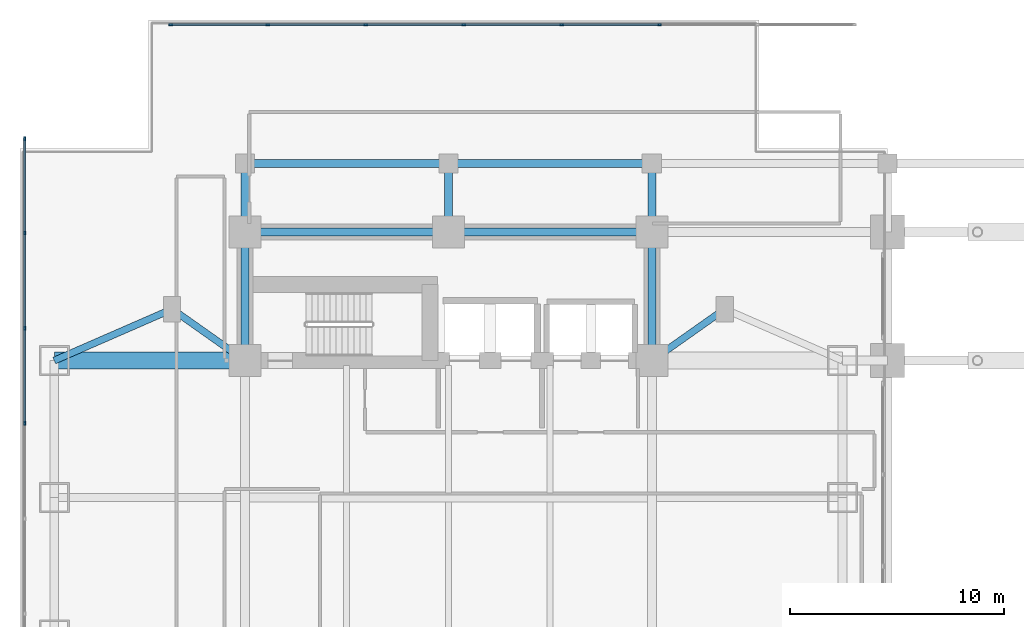
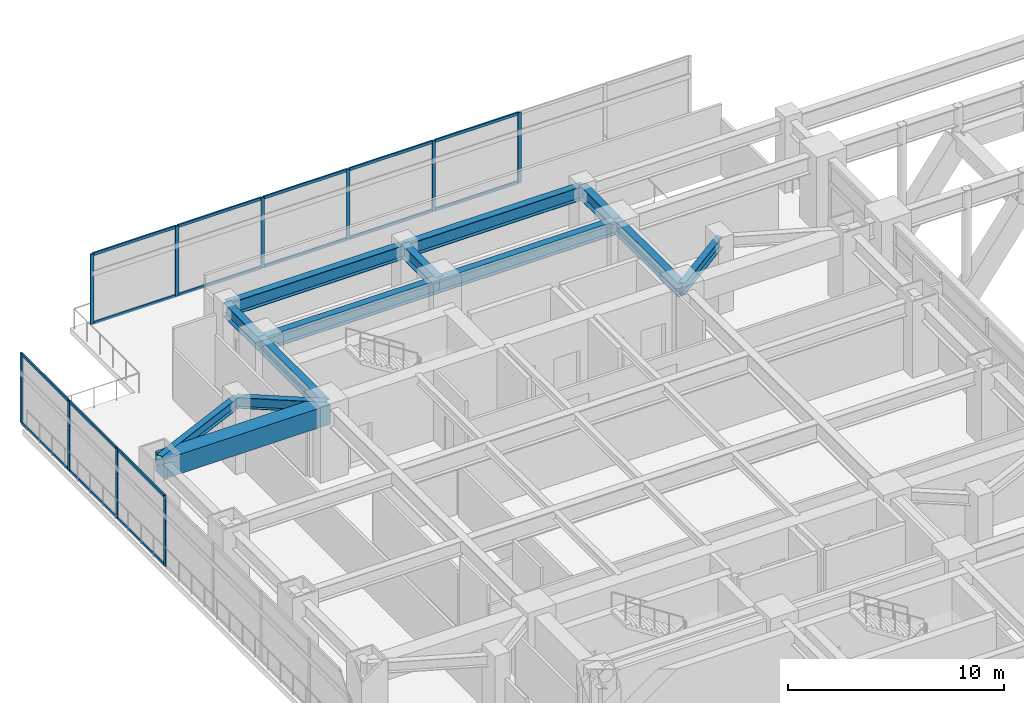
# One storey, part 6 of 30: 26 members, 13 beams, 2 elements without a shape of their own.
"""IFC4 building model written with IfcOpenShell, lengths in metres."""

from ifc_helpers import new_model, si_unit, direction, frame, origin, origin_2d, place, context, subcontext, project, spatial, rectangle, i_section, extrude, material, material_profile, profile_set, type_object, element, aggregate, save


model = new_model("IFC4")

# Units and contexts
model_context = context("Model", 3, precision=1e-05, world=origin(), true_north=direction((0.0, 1.0)))
body_context = subcontext(model_context, "Body", "Model", "MODEL_VIEW")
ifc_project = project(units=[si_unit("LENGTHUNIT", "METRE"), si_unit("AREAUNIT", "SQUARE_METRE"), si_unit("VOLUMEUNIT", "CUBIC_METRE"), si_unit("PLANEANGLEUNIT", "RADIAN"), si_unit("MASSUNIT", "GRAM", prefix="KILO")], contexts=[model_context])

# Site, building, storey
site_placement = place(None, origin())
site = spatial("IfcSite", under=ifc_project, at=site_placement, CompositionType="ELEMENT")
building_placement = place(site_placement, origin())
building = spatial("IfcBuilding", under=site, at=building_placement, Name="Mirazonda Arch Towers", CompositionType="ELEMENT")
storey_placement = place(building_placement, frame((0.0, 0.0, 9.5)))
storey = spatial("IfcBuildingStorey", under=building, at=storey_placement, Name="L02", CompositionType="ELEMENT", Elevation=9.5)

# Beams
ifc_material_1 = material(Name="Steel ASTM A992 Grade 50", Category="steel")
ifc_material_profile_1 = material_profile(ifc_material_1, i_section(OverallWidth=0.381103515625, OverallDepth=0.77294921875, WebThickness=0.0166015625, FlangeThickness=0.027099609375, at=origin_2d()), Name="W30X173")
ifc_profile_set_1 = profile_set([ifc_material_profile_1], Name="Steel ASTM A992 Grade 50")
beam_type_1 = type_object("IfcBeamType", Name="BM-EXT-W30X173", PredefinedType="USERDEFINED", material=ifc_profile_set_1)
for number, where, z_axis, x_axis, name in (
    (1, (11.0, 46.800048828125, 3.593505859375), (1.0, 0.0, 0.0), (0.0, 1.0, 0.0), "L02 Floor Beam BM-POD-L02-PN-1"),
    (2, (20.5, 46.800048828125, 3.593505859375), (1.0, 0.0, 0.0), (0.0, 1.0, 0.0), "L02 Floor Beam BM-POD-L02-PN-2"),
):
    element("IfcBeam", number, at=place(storey_placement, frame(where, z_axis=z_axis, x_axis=x_axis)), inside=storey, type_object=beam_type_1, Name=name, ObjectType="GIRDER", PredefinedType="USERDEFINED", context=body_context, shape_type="SweptSolid", body=[
        extrude(i_section(OverallWidth=0.381103515625, OverallDepth=0.77294921875, WebThickness=0.0166015625, FlangeThickness=0.027099609375, at=origin_2d()), origin(), (0.0, 0.0, 1.0), 9.5),
    ])
ifc_material_profile_2 = material_profile(ifc_material_1, i_section(OverallWidth=0.324951171875, OverallDepth=0.615966796875, WebThickness=0.013916015625, FlangeThickness=0.021484375, at=origin_2d()), Name="W24X117")
ifc_profile_set_2 = profile_set([ifc_material_profile_2], Name="Steel ASTM A992 Grade 50")
beam_type_2 = type_object("IfcBeamType", Name="BM-INT-W24X117", PredefinedType="BEAM", material=ifc_profile_set_2)
beam_1_placement = place(storey_placement, frame((7.60009765625, 40.0, 3.672119140625), z_axis=(0.816971114901, -0.576678591087, 0.0), x_axis=(0.576678591087, 0.816971114901, 0.0)))
element("IfcBeam", 3, at=beam_1_placement, inside=storey, type_object=beam_type_2, Name="L02 Floor Beam BM-T1-L02-PL-NW1", PredefinedType="BEAM", context=body_context, shape_type="SweptSolid", body=[
    extrude(i_section(OverallWidth=0.324951171875, OverallDepth=0.615966796875, WebThickness=0.013916015625, FlangeThickness=0.021484375, at=origin_2d()), origin(), (0.0, 0.0, 1.0), 4.16162109375),
])
beam_2_placement = place(storey_placement, frame((7.60009765625, 40.0, 3.672119140625), z_axis=(-0.916545343703, -0.399930785183, 0.0), x_axis=(0.399930785183, -0.916545343703, 0.0)))
element("IfcBeam", 4, at=beam_2_placement, inside=storey, type_object=beam_type_2, Name="L02 Floor Beam BM-T1-L02-PL-NW2", PredefinedType="BEAM", context=body_context, shape_type="SweptSolid", body=[
    extrude(i_section(OverallWidth=0.324951171875, OverallDepth=0.615966796875, WebThickness=0.013916015625, FlangeThickness=0.021484375, at=origin_2d()), origin(), (0.0, 0.0, 1.0), 6.000732421875),
])
beam_3_placement = place(storey_placement, frame((33.39990234375, 40.0, 3.672119140625), z_axis=(-0.816971114901, -0.576678591087, 0.0), x_axis=(0.576678591087, -0.816971114901, 0.0)))
element("IfcBeam", 5, at=beam_3_placement, inside=storey, type_object=beam_type_2, Name="L02 Floor Beam BM-T1-L02-PL-NE1", PredefinedType="BEAM", context=body_context, shape_type="SweptSolid", body=[
    extrude(i_section(OverallWidth=0.324951171875, OverallDepth=0.615966796875, WebThickness=0.013916015625, FlangeThickness=0.021484375, at=origin_2d()), origin(), (0.0, 0.0, 1.0), 4.16162109375),
])
ifc_material_profile_3 = material_profile(ifc_material_1, i_section(OverallWidth=0.381103515625, OverallDepth=0.77294921875, WebThickness=0.0166015625, FlangeThickness=0.027099609375, at=origin_2d()), Name="W30X173")
ifc_profile_set_3 = profile_set([ifc_material_profile_3], Name="Steel ASTM A992 Grade 50")
beam_type_3 = type_object("IfcBeamType", Name="BM-INT-W30X173", PredefinedType="USERDEFINED", material=ifc_profile_set_3)
for number, where, z_axis, x_axis, name in (
    (6, (11.0, 43.60009765625, 3.593505859375), (1.0, 0.0, 0.0), (0.0, 1.0, 0.0), "L02 Floor Beam BM-T1-L02-CN1"),
    (7, (20.5, 43.60009765625, 3.593505859375), (1.0, 0.0, 0.0), (0.0, 1.0, 0.0), "L02 Floor Beam BM-T1-L02-CN2"),
):
    element("IfcBeam", number, at=place(storey_placement, frame(where, z_axis=z_axis, x_axis=x_axis)), inside=storey, type_object=beam_type_3, Name=name, ObjectType="GIRDER", PredefinedType="USERDEFINED", context=body_context, shape_type="SweptSolid", body=[
        extrude(i_section(OverallWidth=0.381103515625, OverallDepth=0.77294921875, WebThickness=0.0166015625, FlangeThickness=0.027099609375, at=origin_2d()), origin(), (0.0, 0.0, 1.0), 9.5),
    ])
for number, where, z_axis, x_axis, name in (
    (8, (11.0, 37.60009765625, 3.593505859375), (0.0, 1.0, 0.0), (-1.0, 0.0, 0.0), "L02 Floor Beam BM-T1-L02-CNW"),
    (9, (30.0, 37.60009765625, 3.593505859375), (0.0, 1.0, 0.0), (-1.0, 0.0, 0.0), "L02 Floor Beam BM-T1-L02-CNE"),
):
    element("IfcBeam", number, at=place(storey_placement, frame(where, z_axis=z_axis, x_axis=x_axis)), inside=storey, type_object=beam_type_3, Name=name, ObjectType="GIRDER", PredefinedType="USERDEFINED", context=body_context, shape_type="SweptSolid", body=[
        extrude(i_section(OverallWidth=0.381103515625, OverallDepth=0.77294921875, WebThickness=0.0166015625, FlangeThickness=0.027099609375, at=origin_2d()), origin(), (0.0, 0.0, 1.0), 6.0),
    ])
for number, where, z_axis, x_axis, name in (
    (10, (11.0, 43.60009765625, 3.593505859375), (0.0, 1.0, 0.0), (-1.0, 0.0, 0.0), "L02 Floor Beam BM-POD-L02-PCN-1"),
    (11, (20.5, 43.60009765625, 3.593505859375), (0.0, 1.0, 0.0), (-1.0, 0.0, 0.0), "L02 Floor Beam BM-POD-L02-PCN-2"),
    (12, (30.0, 43.60009765625, 3.593505859375), (0.0, 1.0, 0.0), (-1.0, 0.0, 0.0), "L02 Floor Beam BM-POD-L02-PCN-3"),
):
    element("IfcBeam", number, at=place(storey_placement, frame(where, z_axis=z_axis, x_axis=x_axis)), inside=storey, type_object=beam_type_3, Name=name, ObjectType="GIRDER", PredefinedType="USERDEFINED", context=body_context, shape_type="SweptSolid", body=[
        extrude(i_section(OverallWidth=0.381103515625, OverallDepth=0.77294921875, WebThickness=0.0166015625, FlangeThickness=0.027099609375, at=origin_2d()), origin(), (0.0, 0.0, 1.0), 3.199951171875),
    ])
ifc_material_2 = material(Name="Concrete C60/75", Category="concrete")
ifc_material_profile_4 = material_profile(ifc_material_2, rectangle(XDim=0.800048828125, YDim=1.10009765625, at=origin_2d()), Name="RCCB800x1100")
ifc_profile_set_4 = profile_set([ifc_material_profile_4], Name="Concrete C60/75")
beam_type_4 = type_object("IfcBeamType", Name="CB-INT-RCCB800x1100", PredefinedType="SPANDREL", material=ifc_profile_set_4)
beam_4_placement = place(storey_placement, frame((2.10009765625, 37.60009765625, 3.429931640625), z_axis=(1.0, 0.0, 0.0), x_axis=(0.0, 1.0, 0.0)))
element("IfcBeam", 13, at=beam_4_placement, inside=storey, type_object=beam_type_4, Name="L02 Floor Beam CB-T1-L02-NW", PredefinedType="SPANDREL", context=body_context, shape_type="SweptSolid", body=[
    extrude(rectangle(XDim=0.800048828125, YDim=1.10009765625, at=origin_2d()), origin(), (0.0, 0.0, 1.0), 8.89990234375),
])

# Curtain wall, members
ifc_material_3 = material(Name="Anodised Aluminium and Low-E Glass", Category="aluminium")
curtain_wall_type = type_object("IfcCurtainWallType", Name="CW-POD-STORE", PredefinedType="NOTDEFINED", material=ifc_material_3)
curtain_wall_1_placement = place(storey_placement, origin())
curtain_wall_1 = element("IfcCurtainWall", 14, at=curtain_wall_1_placement, inside=storey, type_object=curtain_wall_type, Name="L02 Curtain Wall CW-L02-WN", PredefinedType="NOTDEFINED")
ifc_material_4 = material(Name="Anodised Aluminium Alloy", Category="aluminium")
ifc_material_profile_5 = material_profile(ifc_material_4, rectangle(XDim=0.080078125, YDim=0.179931640625, at=origin_2d()), Name="ALU-MULL-80x180")
ifc_profile_set_5 = profile_set([ifc_material_profile_5], Name="Anodised Aluminium Alloy")
member_type_1 = type_object("IfcMemberType", Name="MULL-CW-POD-STORE", PredefinedType="MULLION", material=ifc_profile_set_5)
member_1_placement = place(storey_placement, frame((7.5400390625, 53.280029296875, 0.0), z_axis=(0.0, 0.0, 1.0), x_axis=(0.0, 1.0, 0.0)))
member_1 = element("IfcMember", 15, at=member_1_placement, type_object=member_type_1, Name="CW-102 mullion 1", PredefinedType="MULLION", context=body_context, shape_type="SweptSolid", body=[
    extrude(rectangle(XDim=0.080078125, YDim=0.179931640625, at=origin_2d()), origin(), (0.0, 0.0, 1.0), 3.9599609375),
])
member_2_placement = place(storey_placement, frame((12.071533203125, 53.280029296875, 0.0), z_axis=(0.0, 0.0, 1.0), x_axis=(0.0, 1.0, 0.0)))
member_2 = element("IfcMember", 16, at=member_2_placement, type_object=member_type_1, Name="CW-102 mullion 2", PredefinedType="MULLION", context=body_context, shape_type="SweptSolid", body=[
    extrude(rectangle(XDim=0.080078125, YDim=0.179931640625, at=origin_2d()), origin(), (0.0, 0.0, 1.0), 3.9599609375),
])
member_3_placement = place(storey_placement, frame((16.642822265625, 53.280029296875, 0.0), z_axis=(0.0, 0.0, 1.0), x_axis=(0.0, 1.0, 0.0)))
member_3 = element("IfcMember", 17, at=member_3_placement, type_object=member_type_1, Name="CW-102 mullion 3", PredefinedType="MULLION", context=body_context, shape_type="SweptSolid", body=[
    extrude(rectangle(XDim=0.080078125, YDim=0.179931640625, at=origin_2d()), origin(), (0.0, 0.0, 1.0), 3.9599609375),
])
member_4_placement = place(storey_placement, frame((21.21435546875, 53.280029296875, 0.0), z_axis=(0.0, 0.0, 1.0), x_axis=(0.0, 1.0, 0.0)))
member_4 = element("IfcMember", 18, at=member_4_placement, type_object=member_type_1, Name="CW-102 mullion 4", PredefinedType="MULLION", context=body_context, shape_type="SweptSolid", body=[
    extrude(rectangle(XDim=0.080078125, YDim=0.179931640625, at=origin_2d()), origin(), (0.0, 0.0, 1.0), 3.9599609375),
])
member_5_placement = place(storey_placement, frame((25.78564453125, 53.280029296875, 0.0), z_axis=(0.0, 0.0, 1.0), x_axis=(0.0, 1.0, 0.0)))
member_5 = element("IfcMember", 19, at=member_5_placement, type_object=member_type_1, Name="CW-102 mullion 5", PredefinedType="MULLION", context=body_context, shape_type="SweptSolid", body=[
    extrude(rectangle(XDim=0.080078125, YDim=0.179931640625, at=origin_2d()), origin(), (0.0, 0.0, 1.0), 3.9599609375),
])
member_6_placement = place(storey_placement, frame((30.357177734375, 53.280029296875, 0.0), z_axis=(0.0, 0.0, 1.0), x_axis=(0.0, 1.0, 0.0)))
member_6 = element("IfcMember", 20, at=member_6_placement, type_object=member_type_1, Name="CW-102 mullion 6", PredefinedType="MULLION", context=body_context, shape_type="SweptSolid", body=[
    extrude(rectangle(XDim=0.080078125, YDim=0.179931640625, at=origin_2d()), origin(), (0.0, 0.0, 1.0), 3.9599609375),
])

curtain_wall_2_placement = place(storey_placement, origin())
curtain_wall_2 = element("IfcCurtainWall", 21, at=curtain_wall_2_placement, inside=storey, type_object=curtain_wall_type, Name="L02 Curtain Wall CW-L02-WW", PredefinedType="NOTDEFINED")
member_7_placement = place(storey_placement, frame((0.719970703125, 47.9599609375, 0.0), z_axis=(0.0, 0.0, 1.0), x_axis=(1.0, 0.0, 0.0)))
member_7 = element("IfcMember", 22, at=member_7_placement, type_object=member_type_1, Name="CW-102 mullion 1", PredefinedType="MULLION", context=body_context, shape_type="SweptSolid", body=[
    extrude(rectangle(XDim=0.080078125, YDim=0.179931640625, at=origin_2d()), origin(), (0.0, 0.0, 1.0), 3.9599609375),
])
member_8_placement = place(storey_placement, frame((0.719970703125, 43.5556640625, 0.0), z_axis=(0.0, 0.0, 1.0), x_axis=(1.0, 0.0, 0.0)))
member_8 = element("IfcMember", 23, at=member_8_placement, type_object=member_type_1, Name="CW-102 mullion 2", PredefinedType="MULLION", context=body_context, shape_type="SweptSolid", body=[
    extrude(rectangle(XDim=0.080078125, YDim=0.179931640625, at=origin_2d()), origin(), (0.0, 0.0, 1.0), 3.9599609375),
])
member_9_placement = place(storey_placement, frame((0.719970703125, 39.111083984375, 0.0), z_axis=(0.0, 0.0, 1.0), x_axis=(1.0, 0.0, 0.0)))
member_9 = element("IfcMember", 24, at=member_9_placement, type_object=member_type_1, Name="CW-102 mullion 3", PredefinedType="MULLION", context=body_context, shape_type="SweptSolid", body=[
    extrude(rectangle(XDim=0.080078125, YDim=0.179931640625, at=origin_2d()), origin(), (0.0, 0.0, 1.0), 3.9599609375),
])
member_10_placement = place(storey_placement, frame((0.719970703125, 34.666748046875, 0.0), z_axis=(0.0, 0.0, 1.0), x_axis=(1.0, 0.0, 0.0)))
member_10 = element("IfcMember", 25, at=member_10_placement, type_object=member_type_1, Name="CW-102 mullion 4", PredefinedType="MULLION", context=body_context, shape_type="SweptSolid", body=[
    extrude(rectangle(XDim=0.080078125, YDim=0.179931640625, at=origin_2d()), origin(), (0.0, 0.0, 1.0), 3.9599609375),
])

# Member
ifc_material_profile_6 = material_profile(ifc_material_4, rectangle(XDim=0.080078125, YDim=0.159912109375, at=origin_2d()), Name="ALU-TRAN-80x160")
ifc_profile_set_6 = profile_set([ifc_material_profile_6], Name="Anodised Aluminium Alloy")
member_type_2 = type_object("IfcMemberType", Name="TRAN-CW-POD-STORE", PredefinedType="USERDEFINED", material=ifc_profile_set_6)
member_11_placement = place(storey_placement, frame((7.580078125, 53.280029296875, 0.0400390625), z_axis=(1.0, 0.0, 0.0), x_axis=(0.0, 1.0, 0.0)))
member_11 = element("IfcMember", 26, at=member_11_placement, type_object=member_type_2, Name="CW-102 transom 1.1", ObjectType="TRANSOM", PredefinedType="USERDEFINED", context=body_context, shape_type="SweptSolid", body=[
    extrude(rectangle(XDim=0.080078125, YDim=0.159912109375, at=origin_2d()), origin(), (0.0, 0.0, 1.0), 4.451416015625),
])

member_12_placement = place(storey_placement, frame((7.580078125, 53.280029296875, 3.919921875), z_axis=(1.0, 0.0, 0.0), x_axis=(0.0, 1.0, 0.0)))
member_12 = element("IfcMember", 27, at=member_12_placement, type_object=member_type_2, Name="CW-102 transom 1.2", ObjectType="TRANSOM", PredefinedType="USERDEFINED", context=body_context, shape_type="SweptSolid", body=[
    extrude(rectangle(XDim=0.080078125, YDim=0.159912109375, at=origin_2d()), origin(), (0.0, 0.0, 1.0), 4.451416015625),
])

member_13_placement = place(storey_placement, frame((12.111328125, 53.280029296875, 0.0400390625), z_axis=(1.0, 0.0, 0.0), x_axis=(0.0, 1.0, 0.0)))
member_13 = element("IfcMember", 28, at=member_13_placement, type_object=member_type_2, Name="CW-102 transom 2.1", ObjectType="TRANSOM", PredefinedType="USERDEFINED", context=body_context, shape_type="SweptSolid", body=[
    extrude(rectangle(XDim=0.080078125, YDim=0.159912109375, at=origin_2d()), origin(), (0.0, 0.0, 1.0), 4.491455078125),
])

member_14_placement = place(storey_placement, frame((12.111328125, 53.280029296875, 3.919921875), z_axis=(1.0, 0.0, 0.0), x_axis=(0.0, 1.0, 0.0)))
member_14 = element("IfcMember", 29, at=member_14_placement, type_object=member_type_2, Name="CW-102 transom 2.2", ObjectType="TRANSOM", PredefinedType="USERDEFINED", context=body_context, shape_type="SweptSolid", body=[
    extrude(rectangle(XDim=0.080078125, YDim=0.159912109375, at=origin_2d()), origin(), (0.0, 0.0, 1.0), 4.491455078125),
])

member_15_placement = place(storey_placement, frame((16.682861328125, 53.280029296875, 0.0400390625), z_axis=(1.0, 0.0, 0.0), x_axis=(0.0, 1.0, 0.0)))
member_15 = element("IfcMember", 30, at=member_15_placement, type_object=member_type_2, Name="CW-102 transom 3.1", ObjectType="TRANSOM", PredefinedType="USERDEFINED", context=body_context, shape_type="SweptSolid", body=[
    extrude(rectangle(XDim=0.080078125, YDim=0.159912109375, at=origin_2d()), origin(), (0.0, 0.0, 1.0), 4.491455078125),
])

member_16_placement = place(storey_placement, frame((16.682861328125, 53.280029296875, 3.919921875), z_axis=(1.0, 0.0, 0.0), x_axis=(0.0, 1.0, 0.0)))
member_16 = element("IfcMember", 31, at=member_16_placement, type_object=member_type_2, Name="CW-102 transom 3.2", ObjectType="TRANSOM", PredefinedType="USERDEFINED", context=body_context, shape_type="SweptSolid", body=[
    extrude(rectangle(XDim=0.080078125, YDim=0.159912109375, at=origin_2d()), origin(), (0.0, 0.0, 1.0), 4.491455078125),
])

member_17_placement = place(storey_placement, frame((21.25439453125, 53.280029296875, 0.0400390625), z_axis=(1.0, 0.0, 0.0), x_axis=(0.0, 1.0, 0.0)))
member_17 = element("IfcMember", 32, at=member_17_placement, type_object=member_type_2, Name="CW-102 transom 4.1", ObjectType="TRANSOM", PredefinedType="USERDEFINED", context=body_context, shape_type="SweptSolid", body=[
    extrude(rectangle(XDim=0.080078125, YDim=0.159912109375, at=origin_2d()), origin(), (0.0, 0.0, 1.0), 4.4912109375),
])

member_18_placement = place(storey_placement, frame((21.25439453125, 53.280029296875, 3.919921875), z_axis=(1.0, 0.0, 0.0), x_axis=(0.0, 1.0, 0.0)))
member_18 = element("IfcMember", 33, at=member_18_placement, type_object=member_type_2, Name="CW-102 transom 4.2", ObjectType="TRANSOM", PredefinedType="USERDEFINED", context=body_context, shape_type="SweptSolid", body=[
    extrude(rectangle(XDim=0.080078125, YDim=0.159912109375, at=origin_2d()), origin(), (0.0, 0.0, 1.0), 4.4912109375),
])

member_19_placement = place(storey_placement, frame((25.82568359375, 53.280029296875, 0.0400390625), z_axis=(1.0, 0.0, 0.0), x_axis=(0.0, 1.0, 0.0)))
member_19 = element("IfcMember", 34, at=member_19_placement, type_object=member_type_2, Name="CW-102 transom 5.1", ObjectType="TRANSOM", PredefinedType="USERDEFINED", context=body_context, shape_type="SweptSolid", body=[
    extrude(rectangle(XDim=0.080078125, YDim=0.159912109375, at=origin_2d()), origin(), (0.0, 0.0, 1.0), 4.491455078125),
])

member_20_placement = place(storey_placement, frame((25.82568359375, 53.280029296875, 3.919921875), z_axis=(1.0, 0.0, 0.0), x_axis=(0.0, 1.0, 0.0)))
member_20 = element("IfcMember", 35, at=member_20_placement, type_object=member_type_2, Name="CW-102 transom 5.2", ObjectType="TRANSOM", PredefinedType="USERDEFINED", context=body_context, shape_type="SweptSolid", body=[
    extrude(rectangle(XDim=0.080078125, YDim=0.159912109375, at=origin_2d()), origin(), (0.0, 0.0, 1.0), 4.491455078125),
])

aggregate(curtain_wall_1, [member_1, member_2, member_3, member_4, member_5, member_6, member_11, member_12, member_13, member_14, member_15, member_16, member_17, member_18, member_19, member_20])

member_21_placement = place(storey_placement, frame((0.719970703125, 47.919921875, 0.0400390625), z_axis=(0.0, -1.0, 0.0), x_axis=(1.0, 0.0, 0.0)))
member_21 = element("IfcMember", 36, at=member_21_placement, type_object=member_type_2, Name="CW-102 transom 1.1", ObjectType="TRANSOM", PredefinedType="USERDEFINED", context=body_context, shape_type="SweptSolid", body=[
    extrude(rectangle(XDim=0.080078125, YDim=0.159912109375, at=origin_2d()), origin(), (0.0, 0.0, 1.0), 4.324462890625),
])

member_22_placement = place(storey_placement, frame((0.719970703125, 47.919921875, 3.919921875), z_axis=(0.0, -1.0, 0.0), x_axis=(1.0, 0.0, 0.0)))
member_22 = element("IfcMember", 37, at=member_22_placement, type_object=member_type_2, Name="CW-102 transom 1.2", ObjectType="TRANSOM", PredefinedType="USERDEFINED", context=body_context, shape_type="SweptSolid", body=[
    extrude(rectangle(XDim=0.080078125, YDim=0.159912109375, at=origin_2d()), origin(), (0.0, 0.0, 1.0), 4.324462890625),
])

member_23_placement = place(storey_placement, frame((0.719970703125, 43.515625, 0.0400390625), z_axis=(0.0, -1.0, 0.0), x_axis=(1.0, 0.0, 0.0)))
member_23 = element("IfcMember", 38, at=member_23_placement, type_object=member_type_2, Name="CW-102 transom 2.1", ObjectType="TRANSOM", PredefinedType="USERDEFINED", context=body_context, shape_type="SweptSolid", body=[
    extrude(rectangle(XDim=0.080078125, YDim=0.159912109375, at=origin_2d()), origin(), (0.0, 0.0, 1.0), 4.364501953125),
])

member_24_placement = place(storey_placement, frame((0.719970703125, 43.515625, 3.919921875), z_axis=(0.0, -1.0, 0.0), x_axis=(1.0, 0.0, 0.0)))
member_24 = element("IfcMember", 39, at=member_24_placement, type_object=member_type_2, Name="CW-102 transom 2.2", ObjectType="TRANSOM", PredefinedType="USERDEFINED", context=body_context, shape_type="SweptSolid", body=[
    extrude(rectangle(XDim=0.080078125, YDim=0.159912109375, at=origin_2d()), origin(), (0.0, 0.0, 1.0), 4.364501953125),
])

member_25_placement = place(storey_placement, frame((0.719970703125, 39.071044921875, 0.0400390625), z_axis=(0.0, -1.0, 0.0), x_axis=(1.0, 0.0, 0.0)))
member_25 = element("IfcMember", 40, at=member_25_placement, type_object=member_type_2, Name="CW-102 transom 3.1", ObjectType="TRANSOM", PredefinedType="USERDEFINED", context=body_context, shape_type="SweptSolid", body=[
    extrude(rectangle(XDim=0.080078125, YDim=0.159912109375, at=origin_2d()), origin(), (0.0, 0.0, 1.0), 4.3642578125),
])

member_26_placement = place(storey_placement, frame((0.719970703125, 39.071044921875, 3.919921875), z_axis=(0.0, -1.0, 0.0), x_axis=(1.0, 0.0, 0.0)))
member_26 = element("IfcMember", 41, at=member_26_placement, type_object=member_type_2, Name="CW-102 transom 3.2", ObjectType="TRANSOM", PredefinedType="USERDEFINED", context=body_context, shape_type="SweptSolid", body=[
    extrude(rectangle(XDim=0.080078125, YDim=0.159912109375, at=origin_2d()), origin(), (0.0, 0.0, 1.0), 4.3642578125),
])

aggregate(curtain_wall_2, [member_7, member_8, member_9, member_10, member_21, member_22, member_23, member_24, member_25, member_26])

save(model, "model.ifc")
